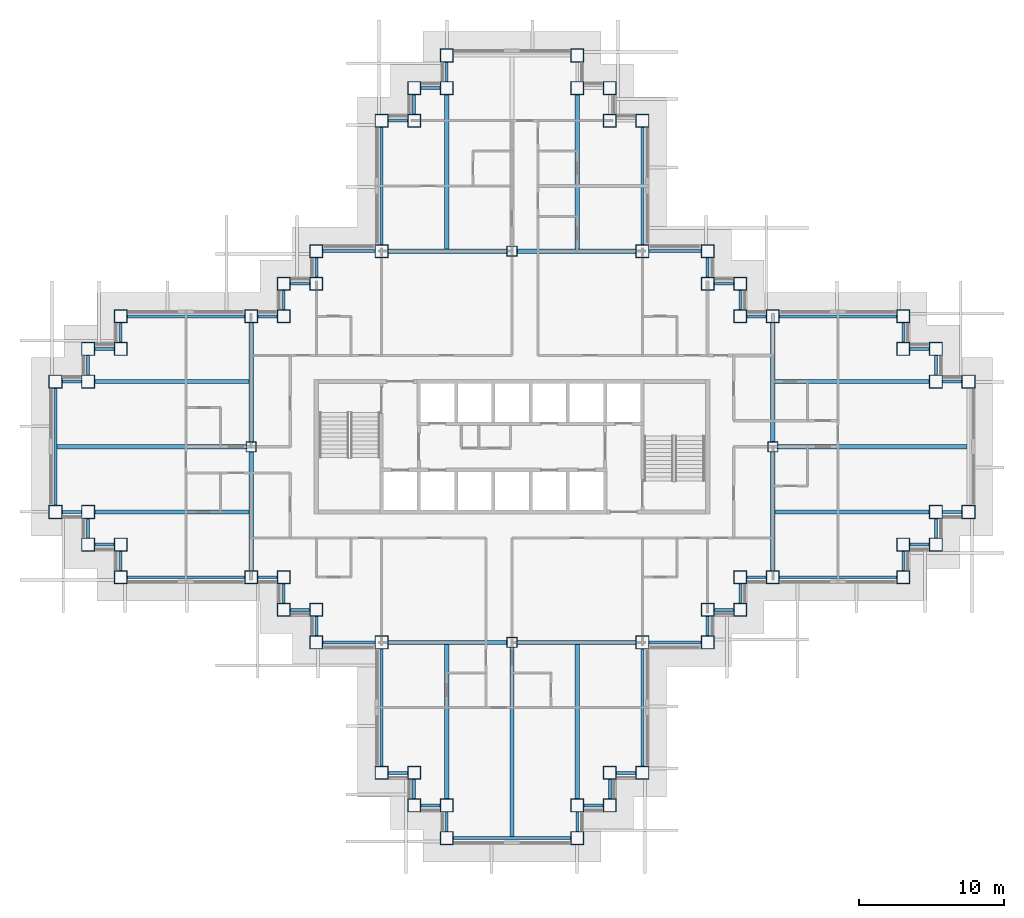
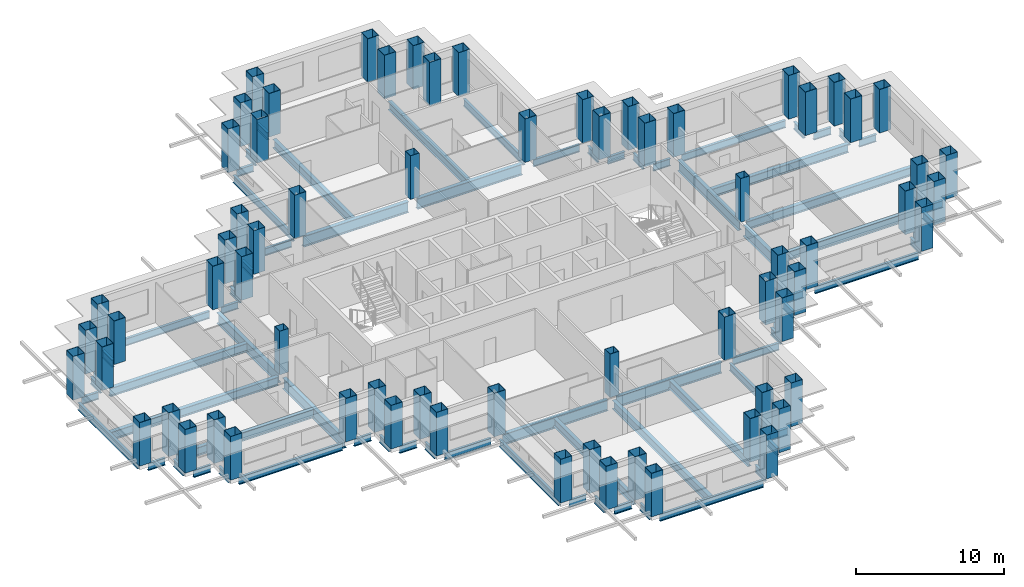
# One storey, part 1 of 15: 77 beams, 68 columns.
"""IFC4 building model written with IfcOpenShell, lengths in metres."""

from ifc_helpers import new_model, si_unit, direction, frame, origin, origin_2d, place, context, subcontext, project, spatial, hollow_rectangle, i_section, extrude, material, material_profile, profile_set, type_object, element, save


model = new_model("IFC4")

# Units and contexts
model_context = context("Model", 3, precision=1e-05, world=origin(), true_north=direction((0.0, 1.0)))
body_context = subcontext(model_context, "Body", "Model", "MODEL_VIEW")
ifc_project = project(units=[si_unit("LENGTHUNIT", "METRE"), si_unit("AREAUNIT", "SQUARE_METRE"), si_unit("VOLUMEUNIT", "CUBIC_METRE"), si_unit("PLANEANGLEUNIT", "RADIAN"), si_unit("MASSUNIT", "GRAM", prefix="KILO")], contexts=[model_context])

# Site, building, storey
site_placement = place(None, origin())
site = spatial("IfcSite", under=ifc_project, at=site_placement, CompositionType="ELEMENT")
building_placement = place(site_placement, origin())
building = spatial("IfcBuilding", under=site, at=building_placement, Name="Caravel Reach Hotel and Residences", CompositionType="ELEMENT")
storey_placement = place(building_placement, frame((0.0, 0.0, 111.60009765625)))
storey = spatial("IfcBuildingStorey", under=building, at=storey_placement, Name="L27", CompositionType="ELEMENT", Elevation=111.60009765625)

# Columns
ifc_material_1 = material(Name="Concrete-filled steel tube Q390B with Concrete C70 infill", Category="concrete")
ifc_material_profile_1 = material_profile(ifc_material_1, hollow_rectangle(XDim=0.699951171875, YDim=0.699951171875, WallThickness=0.02197265625, at=origin_2d()), Name="RHS 700x700x22")
ifc_profile_set_1 = profile_set([ifc_material_profile_1], Name="Concrete-filled steel tube Q390B with Concrete C70 infill")
column_type_1 = type_object("IfcColumnType", Name="CFT 700x700 Q390B C70", PredefinedType="COLUMN", material=ifc_profile_set_1)
for number, where, z_axis, x_axis, name in (
    (1, (31.5, 40.5, 0.0), (0.0, 0.0, 1.0), (1.0, 0.0, 0.0), "C6 column"),
    (2, (31.5, 13.5, 0.0), (0.0, 0.0, 1.0), (1.0, 0.0, 0.0), "C6 column"),
    (3, (13.5, 27.0, 0.0), (0.0, 0.0, 1.0), (1.0, 0.0, 0.0), "C6 column"),
    (4, (49.5, 27.0, 0.0), (0.0, 0.0, 1.0), (1.0, 0.0, 0.0), "C6 column"),
):
    element("IfcColumn", number, at=place(storey_placement, frame(where, z_axis=z_axis, x_axis=x_axis)), inside=storey, type_object=column_type_1, Name=name, PredefinedType="COLUMN", context=body_context, shape_type="SweptSolid", body=[
        extrude(hollow_rectangle(XDim=0.699951171875, YDim=0.699951171875, WallThickness=0.02197265625, at=origin_2d()), origin(), (0.0, 0.0, 1.0), 3.599853515625),
    ])
ifc_material_2 = material(Name="Concrete-filled steel tube Q390B with Concrete C70 infill", Category="concrete")
ifc_material_profile_2 = material_profile(ifc_material_2, hollow_rectangle(XDim=0.89990234375, YDim=0.89990234375, WallThickness=0.028076171875, at=origin_2d()), Name="RHS 900x900x28")
ifc_profile_set_2 = profile_set([ifc_material_profile_2], Name="Concrete-filled steel tube Q390B with Concrete C70 infill")
column_type_2 = type_object("IfcColumnType", Name="CFT 900x900 Q390B C70", PredefinedType="COLUMN", material=ifc_profile_set_2)
for number, where, z_axis, x_axis, name in (
    (5, (22.5, 4.5, 0.0), (0.0, 0.0, 1.0), (1.0, 0.0, 0.0), "C3 column"),
    (6, (24.75, 4.5, 0.0), (0.0, 0.0, 1.0), (1.0, 0.0, 0.0), "C3 column"),
    (7, (24.75, 2.25, 0.0), (0.0, 0.0, 1.0), (1.0, 0.0, 0.0), "C3 column"),
    (8, (27.0, 2.25, 0.0), (0.0, 0.0, 1.0), (1.0, 0.0, 0.0), "C3 column"),
    (9, (27.0, 0.0, 0.0), (0.0, 0.0, 1.0), (1.0, 0.0, 0.0), "C3 column"),
    (10, (36.0, 0.0, 0.0), (0.0, 0.0, 1.0), (1.0, 0.0, 0.0), "C3 column"),
    (11, (36.0, 2.25, 0.0), (0.0, 0.0, 1.0), (1.0, 0.0, 0.0), "C3 column"),
    (12, (38.25, 2.25, 0.0), (0.0, 0.0, 1.0), (1.0, 0.0, 0.0), "C3 column"),
    (13, (38.25, 4.5, 0.0), (0.0, 0.0, 1.0), (1.0, 0.0, 0.0), "C3 column"),
    (14, (40.5, 4.5, 0.0), (0.0, 0.0, 1.0), (1.0, 0.0, 0.0), "C3 column"),
    (15, (40.5, 13.5, 0.0), (0.0, 0.0, 1.0), (1.0, 0.0, 0.0), "C3 column"),
    (16, (45.0, 13.5, 0.0), (0.0, 0.0, 1.0), (1.0, 0.0, 0.0), "C3 column"),
    (17, (45.0, 15.75, 0.0), (0.0, 0.0, 1.0), (1.0, 0.0, 0.0), "C3 column"),
    (18, (47.25, 15.75, 0.0), (0.0, 0.0, 1.0), (1.0, 0.0, 0.0), "C3 column"),
    (19, (47.25, 18.0, 0.0), (0.0, 0.0, 1.0), (1.0, 0.0, 0.0), "C3 column"),
    (20, (49.5, 18.0, 0.0), (0.0, 0.0, 1.0), (1.0, 0.0, 0.0), "C3 column"),
    (21, (58.5, 18.0, 0.0), (0.0, 0.0, 1.0), (1.0, 0.0, 0.0), "C3 column"),
    (22, (58.5, 20.25, 0.0), (0.0, 0.0, 1.0), (1.0, 0.0, 0.0), "C3 column"),
    (23, (60.75, 20.25, 0.0), (0.0, 0.0, 1.0), (1.0, 0.0, 0.0), "C3 column"),
    (24, (60.75, 22.5, 0.0), (0.0, 0.0, 1.0), (1.0, 0.0, 0.0), "C3 column"),
    (25, (63.0, 22.5, 0.0), (0.0, 0.0, 1.0), (1.0, 0.0, 0.0), "C3 column"),
    (26, (63.0, 31.5, 0.0), (0.0, 0.0, 1.0), (1.0, 0.0, 0.0), "C3 column"),
    (27, (60.75, 31.5, 0.0), (0.0, 0.0, 1.0), (1.0, 0.0, 0.0), "C3 column"),
    (28, (60.75, 33.75, 0.0), (0.0, 0.0, 1.0), (1.0, 0.0, 0.0), "C3 column"),
    (29, (58.5, 33.75, 0.0), (0.0, 0.0, 1.0), (1.0, 0.0, 0.0), "C3 column"),
    (30, (58.5, 36.0, 0.0), (0.0, 0.0, 1.0), (1.0, 0.0, 0.0), "C3 column"),
    (31, (49.5, 36.0, 0.0), (0.0, 0.0, 1.0), (1.0, 0.0, 0.0), "C3 column"),
    (32, (47.25, 36.0, 0.0), (0.0, 0.0, 1.0), (1.0, 0.0, 0.0), "C3 column"),
    (33, (47.25, 38.25, 0.0), (0.0, 0.0, 1.0), (1.0, 0.0, 0.0), "C3 column"),
    (34, (45.0, 38.25, 0.0), (0.0, 0.0, 1.0), (1.0, 0.0, 0.0), "C3 column"),
    (35, (45.0, 40.5, 0.0), (0.0, 0.0, 1.0), (1.0, 0.0, 0.0), "C3 column"),
    (36, (40.5, 40.5, 0.0), (0.0, 0.0, 1.0), (1.0, 0.0, 0.0), "C3 column"),
    (37, (40.5, 49.5, 0.0), (0.0, 0.0, 1.0), (1.0, 0.0, 0.0), "C3 column"),
    (38, (38.25, 49.5, 0.0), (0.0, 0.0, 1.0), (1.0, 0.0, 0.0), "C3 column"),
    (39, (38.25, 51.75, 0.0), (0.0, 0.0, 1.0), (1.0, 0.0, 0.0), "C3 column"),
    (40, (36.0, 51.75, 0.0), (0.0, 0.0, 1.0), (1.0, 0.0, 0.0), "C3 column"),
    (41, (36.0, 54.0, 0.0), (0.0, 0.0, 1.0), (1.0, 0.0, 0.0), "C3 column"),
    (42, (27.0, 54.0, 0.0), (0.0, 0.0, 1.0), (1.0, 0.0, 0.0), "C3 column"),
    (43, (27.0, 51.75, 0.0), (0.0, 0.0, 1.0), (1.0, 0.0, 0.0), "C3 column"),
    (44, (24.75, 51.75, 0.0), (0.0, 0.0, 1.0), (1.0, 0.0, 0.0), "C3 column"),
    (45, (24.75, 49.5, 0.0), (0.0, 0.0, 1.0), (1.0, 0.0, 0.0), "C3 column"),
    (46, (22.5, 49.5, 0.0), (0.0, 0.0, 1.0), (1.0, 0.0, 0.0), "C3 column"),
    (47, (22.5, 40.5, 0.0), (0.0, 0.0, 1.0), (1.0, 0.0, 0.0), "C3 column"),
    (48, (18.0, 40.5, 0.0), (0.0, 0.0, 1.0), (1.0, 0.0, 0.0), "C3 column"),
    (49, (18.0, 38.25, 0.0), (0.0, 0.0, 1.0), (1.0, 0.0, 0.0), "C3 column"),
    (50, (15.75, 38.25, 0.0), (0.0, 0.0, 1.0), (1.0, 0.0, 0.0), "C3 column"),
    (51, (15.75, 36.0, 0.0), (0.0, 0.0, 1.0), (1.0, 0.0, 0.0), "C3 column"),
    (52, (13.5, 36.0, 0.0), (0.0, 0.0, 1.0), (1.0, 0.0, 0.0), "C3 column"),
    (53, (4.5, 36.0, 0.0), (0.0, 0.0, 1.0), (1.0, 0.0, 0.0), "C3 column"),
    (54, (4.5, 33.75, 0.0), (0.0, 0.0, 1.0), (1.0, 0.0, 0.0), "C3 column"),
    (55, (2.25, 33.75, 0.0), (0.0, 0.0, 1.0), (1.0, 0.0, 0.0), "C3 column"),
    (56, (2.25, 31.5, 0.0), (0.0, 0.0, 1.0), (1.0, 0.0, 0.0), "C3 column"),
    (57, (0.0, 31.5, 0.0), (0.0, 0.0, 1.0), (1.0, 0.0, 0.0), "C3 column"),
    (58, (0.0, 22.5, 0.0), (0.0, 0.0, 1.0), (1.0, 0.0, 0.0), "C3 column"),
    (59, (2.25, 22.5, 0.0), (0.0, 0.0, 1.0), (1.0, 0.0, 0.0), "C3 column"),
    (60, (2.25, 20.25, 0.0), (0.0, 0.0, 1.0), (1.0, 0.0, 0.0), "C3 column"),
    (61, (4.5, 20.25, 0.0), (0.0, 0.0, 1.0), (1.0, 0.0, 0.0), "C3 column"),
    (62, (4.5, 18.0, 0.0), (0.0, 0.0, 1.0), (1.0, 0.0, 0.0), "C3 column"),
    (63, (13.5, 18.0, 0.0), (0.0, 0.0, 1.0), (1.0, 0.0, 0.0), "C3 column"),
    (64, (15.75, 18.0, 0.0), (0.0, 0.0, 1.0), (1.0, 0.0, 0.0), "C3 column"),
    (65, (15.75, 15.75, 0.0), (0.0, 0.0, 1.0), (1.0, 0.0, 0.0), "C3 column"),
    (66, (18.0, 15.75, 0.0), (0.0, 0.0, 1.0), (1.0, 0.0, 0.0), "C3 column"),
    (67, (18.0, 13.5, 0.0), (0.0, 0.0, 1.0), (1.0, 0.0, 0.0), "C3 column"),
    (68, (22.5, 13.5, 0.0), (0.0, 0.0, 1.0), (1.0, 0.0, 0.0), "C3 column"),
):
    element("IfcColumn", number, at=place(storey_placement, frame(where, z_axis=z_axis, x_axis=x_axis)), inside=storey, type_object=column_type_2, Name=name, PredefinedType="COLUMN", context=body_context, shape_type="SweptSolid", body=[
        extrude(hollow_rectangle(XDim=0.89990234375, YDim=0.89990234375, WallThickness=0.028076171875, at=origin_2d()), origin(), (0.0, 0.0, 1.0), 3.599853515625),
    ])

# Beams
ifc_material_3 = material(Name="Structural steel Q355B", Category="steel")
ifc_material_profile_3 = material_profile(ifc_material_3, i_section(OverallWidth=0.300048828125, OverallDepth=0.699951171875, WebThickness=0.012939453125, FlangeThickness=0.02392578125, FilletRadius=0.01806640625, at=origin_2d()), Name="HN 700x300x13x24")
ifc_profile_set_3 = profile_set([ifc_material_profile_3], Name="Structural steel Q355B")
beam_type_1 = type_object("IfcBeamType", Name="Beam HN 700x300x13x24", PredefinedType="BEAM", material=ifc_profile_set_3)
for number, where, z_axis, x_axis, name in (
    (69, (27.0, 40.60009765625, -0.650146484375), (0.0, 1.0, 0.0), (-1.0, 0.0, 0.0), "B2 HN 700x300x13x24"),
    (70, (36.0, 40.60009765625, -0.650146484375), (0.0, 1.0, 0.0), (-1.0, 0.0, 0.0), "B2 HN 700x300x13x24"),
    (71, (27.0, 13.39990234375, -0.650146484375), (0.0, -1.0, 0.0), (1.0, 0.0, 0.0), "B2 HN 700x300x13x24"),
):
    element("IfcBeam", number, at=place(storey_placement, frame(where, z_axis=z_axis, x_axis=x_axis)), inside=storey, type_object=beam_type_1, Name=name, PredefinedType="BEAM", context=body_context, shape_type="SweptSolid", body=[
        extrude(i_section(OverallWidth=0.300048828125, OverallDepth=0.699951171875, WebThickness=0.012939453125, FlangeThickness=0.02392578125, FilletRadius=0.01806640625, at=origin_2d()), origin(), (0.0, 0.0, 1.0), 10.75),
    ])
beam_1_placement = place(storey_placement, frame((31.5, 13.199951171875, -0.650146484375), z_axis=(0.0, -1.0, 0.0), x_axis=(1.0, 0.0, 0.0)))
element("IfcBeam", 72, at=beam_1_placement, inside=storey, type_object=beam_type_1, Name="B2 HN 700x300x13x24", PredefinedType="BEAM", context=body_context, shape_type="SweptSolid", body=[
    extrude(i_section(OverallWidth=0.300048828125, OverallDepth=0.699951171875, WebThickness=0.012939453125, FlangeThickness=0.02392578125, FilletRadius=0.01806640625, at=origin_2d()), origin(), (0.0, 0.0, 1.0), 13.099853515625),
])
for number, where, z_axis, x_axis, name in (
    (73, (36.0, 13.39990234375, -0.650146484375), (0.0, -1.0, 0.0), (1.0, 0.0, 0.0), "B2 HN 700x300x13x24"),
    (74, (49.60009765625, 22.5, -0.650146484375), (1.0, 0.0, 0.0), (0.0, 1.0, 0.0), "B2 HN 700x300x13x24"),
):
    element("IfcBeam", number, at=place(storey_placement, frame(where, z_axis=z_axis, x_axis=x_axis)), inside=storey, type_object=beam_type_1, Name=name, PredefinedType="BEAM", context=body_context, shape_type="SweptSolid", body=[
        extrude(i_section(OverallWidth=0.300048828125, OverallDepth=0.699951171875, WebThickness=0.012939453125, FlangeThickness=0.02392578125, FilletRadius=0.01806640625, at=origin_2d()), origin(), (0.0, 0.0, 1.0), 10.75),
    ])
beam_2_placement = place(storey_placement, frame((49.800048828125, 27.0, -0.650146484375), z_axis=(1.0, 0.0, 0.0), x_axis=(0.0, 1.0, 0.0)))
element("IfcBeam", 75, at=beam_2_placement, inside=storey, type_object=beam_type_1, Name="B2 HN 700x300x13x24", PredefinedType="BEAM", context=body_context, shape_type="SweptSolid", body=[
    extrude(i_section(OverallWidth=0.300048828125, OverallDepth=0.699951171875, WebThickness=0.012939453125, FlangeThickness=0.02392578125, FilletRadius=0.01806640625, at=origin_2d()), origin(), (0.0, 0.0, 1.0), 13.099853515625),
])
for number, where, z_axis, x_axis, name in (
    (76, (49.60009765625, 31.5, -0.650146484375), (1.0, 0.0, 0.0), (0.0, 1.0, 0.0), "B2 HN 700x300x13x24"),
    (77, (13.39990234375, 22.5, -0.650146484375), (-1.0, 0.0, 0.0), (0.0, -1.0, 0.0), "B2 HN 700x300x13x24"),
):
    element("IfcBeam", number, at=place(storey_placement, frame(where, z_axis=z_axis, x_axis=x_axis)), inside=storey, type_object=beam_type_1, Name=name, PredefinedType="BEAM", context=body_context, shape_type="SweptSolid", body=[
        extrude(i_section(OverallWidth=0.300048828125, OverallDepth=0.699951171875, WebThickness=0.012939453125, FlangeThickness=0.02392578125, FilletRadius=0.01806640625, at=origin_2d()), origin(), (0.0, 0.0, 1.0), 10.75),
    ])
beam_3_placement = place(storey_placement, frame((13.199951171875, 27.0, -0.650146484375), z_axis=(-1.0, 0.0, 0.0), x_axis=(0.0, -1.0, 0.0)))
element("IfcBeam", 78, at=beam_3_placement, inside=storey, type_object=beam_type_1, Name="B2 HN 700x300x13x24", PredefinedType="BEAM", context=body_context, shape_type="SweptSolid", body=[
    extrude(i_section(OverallWidth=0.300048828125, OverallDepth=0.699951171875, WebThickness=0.012939453125, FlangeThickness=0.02392578125, FilletRadius=0.01806640625, at=origin_2d()), origin(), (0.0, 0.0, 1.0), 13.099853515625),
])
beam_4_placement = place(storey_placement, frame((13.39990234375, 31.5, -0.650146484375), z_axis=(-1.0, 0.0, 0.0), x_axis=(0.0, -1.0, 0.0)))
element("IfcBeam", 79, at=beam_4_placement, inside=storey, type_object=beam_type_1, Name="B2 HN 700x300x13x24", PredefinedType="BEAM", context=body_context, shape_type="SweptSolid", body=[
    extrude(i_section(OverallWidth=0.300048828125, OverallDepth=0.699951171875, WebThickness=0.012939453125, FlangeThickness=0.02392578125, FilletRadius=0.01806640625, at=origin_2d()), origin(), (0.0, 0.0, 1.0), 10.75),
])
ifc_material_4 = material(Name="Structural steel Q355B", Category="steel")
ifc_material_profile_4 = material_profile(ifc_material_4, i_section(OverallWidth=0.300048828125, OverallDepth=0.89990234375, WebThickness=0.01611328125, FlangeThickness=0.028076171875, FilletRadius=0.01806640625, at=origin_2d()), Name="HN 900x300x16x28")
ifc_profile_set_4 = profile_set([ifc_material_profile_4], Name="Structural steel Q355B")
beam_type_2 = type_object("IfcBeamType", Name="Beam HN 900x300x16x28", PredefinedType="BEAM", material=ifc_profile_set_4)
for number, where, z_axis, x_axis, name in (
    (80, (22.949951171875, 40.5, -0.75), (1.0, 0.0, 0.0), (0.0, 1.0, 0.0), "B3 HN 900x300x16x28"),
    (81, (31.85009765625, 40.5, -0.75), (1.0, 0.0, 0.0), (0.0, 1.0, 0.0), "B3 HN 900x300x16x28"),
    (82, (22.949951171875, 13.5, -0.75), (1.0, 0.0, 0.0), (0.0, 1.0, 0.0), "B3 HN 900x300x16x28"),
    (83, (31.85009765625, 13.5, -0.75), (1.0, 0.0, 0.0), (0.0, 1.0, 0.0), "B3 HN 900x300x16x28"),
    (84, (13.5, 18.449951171875, -0.75), (0.0, 1.0, 0.0), (-1.0, 0.0, 0.0), "B3 HN 900x300x16x28"),
    (85, (13.5, 27.35009765625, -0.75), (0.0, 1.0, 0.0), (-1.0, 0.0, 0.0), "B3 HN 900x300x16x28"),
    (86, (49.5, 18.449951171875, -0.75), (0.0, 1.0, 0.0), (-1.0, 0.0, 0.0), "B3 HN 900x300x16x28"),
    (87, (49.5, 27.35009765625, -0.75), (0.0, 1.0, 0.0), (-1.0, 0.0, 0.0), "B3 HN 900x300x16x28"),
):
    element("IfcBeam", number, at=place(storey_placement, frame(where, z_axis=z_axis, x_axis=x_axis)), inside=storey, type_object=beam_type_2, Name=name, PredefinedType="BEAM", context=body_context, shape_type="SweptSolid", body=[
        extrude(i_section(OverallWidth=0.300048828125, OverallDepth=0.89990234375, WebThickness=0.01611328125, FlangeThickness=0.028076171875, FilletRadius=0.01806640625, at=origin_2d()), origin(), (0.0, 0.0, 1.0), 8.199951171875),
    ])
ifc_material_5 = material(Name="Structural steel Q355B", Category="steel")
ifc_material_profile_5 = material_profile(ifc_material_5, i_section(OverallWidth=0.199951171875, OverallDepth=0.60009765625, WebThickness=0.010986328125, FlangeThickness=0.01708984375, FilletRadius=0.012939453125, at=origin_2d()), Name="HN 600x200x11x17")
ifc_profile_set_5 = profile_set([ifc_material_profile_5], Name="Structural steel Q355B")
beam_type_3 = type_object("IfcBeamType", Name="Spandrel beam HN 600x200x11x17", PredefinedType="SPANDREL", material=ifc_profile_set_5)
for number, where, z_axis, x_axis, name in (
    (88, (22.949951171875, 4.5, -0.60009765625), (1.0, 0.0, 0.0), (0.0, 1.0, 0.0), "SP1 HN 600x200x11x17"),
    (89, (24.75, 4.050048828125, -0.60009765625), (0.0, -1.0, 0.0), (1.0, 0.0, 0.0), "SP1 HN 600x200x11x17"),
    (90, (25.199951171875, 2.25, -0.60009765625), (1.0, 0.0, 0.0), (0.0, 1.0, 0.0), "SP1 HN 600x200x11x17"),
    (91, (27.0, 1.800048828125, -0.60009765625), (0.0, -1.0, 0.0), (1.0, 0.0, 0.0), "SP1 HN 600x200x11x17"),
):
    element("IfcBeam", number, at=place(storey_placement, frame(where, z_axis=z_axis, x_axis=x_axis)), inside=storey, type_object=beam_type_3, Name=name, PredefinedType="SPANDREL", context=body_context, shape_type="SweptSolid", body=[
        extrude(i_section(OverallWidth=0.199951171875, OverallDepth=0.60009765625, WebThickness=0.010986328125, FlangeThickness=0.01708984375, FilletRadius=0.012939453125, at=origin_2d()), origin(), (0.0, 0.0, 1.0), 1.35009765625),
    ])
beam_5_placement = place(storey_placement, frame((27.449951171875, 0.0, -0.60009765625), z_axis=(1.0, 0.0, 0.0), x_axis=(0.0, 1.0, 0.0)))
element("IfcBeam", 92, at=beam_5_placement, inside=storey, type_object=beam_type_3, Name="SP1 HN 600x200x11x17", PredefinedType="SPANDREL", context=body_context, shape_type="SweptSolid", body=[
    extrude(i_section(OverallWidth=0.199951171875, OverallDepth=0.60009765625, WebThickness=0.010986328125, FlangeThickness=0.01708984375, FilletRadius=0.012939453125, at=origin_2d()), origin(), (0.0, 0.0, 1.0), 8.10009765625),
])
for number, where, z_axis, x_axis, name in (
    (93, (36.0, 0.449951171875, -0.60009765625), (0.0, 1.0, 0.0), (-1.0, 0.0, 0.0), "SP1 HN 600x200x11x17"),
    (94, (36.449951171875, 2.25, -0.60009765625), (1.0, 0.0, 0.0), (0.0, 1.0, 0.0), "SP1 HN 600x200x11x17"),
    (95, (38.25, 2.699951171875, -0.60009765625), (0.0, 1.0, 0.0), (-1.0, 0.0, 0.0), "SP1 HN 600x200x11x17"),
    (96, (38.699951171875, 4.5, -0.60009765625), (1.0, 0.0, 0.0), (0.0, 1.0, 0.0), "SP1 HN 600x200x11x17"),
):
    element("IfcBeam", number, at=place(storey_placement, frame(where, z_axis=z_axis, x_axis=x_axis)), inside=storey, type_object=beam_type_3, Name=name, PredefinedType="SPANDREL", context=body_context, shape_type="SweptSolid", body=[
        extrude(i_section(OverallWidth=0.199951171875, OverallDepth=0.60009765625, WebThickness=0.010986328125, FlangeThickness=0.01708984375, FilletRadius=0.012939453125, at=origin_2d()), origin(), (0.0, 0.0, 1.0), 1.35009765625),
    ])
beam_6_placement = place(storey_placement, frame((40.5, 4.949951171875, -0.60009765625), z_axis=(0.0, 1.0, 0.0), x_axis=(-1.0, 0.0, 0.0)))
element("IfcBeam", 97, at=beam_6_placement, inside=storey, type_object=beam_type_3, Name="SP1 HN 600x200x11x17", PredefinedType="SPANDREL", context=body_context, shape_type="SweptSolid", body=[
    extrude(i_section(OverallWidth=0.199951171875, OverallDepth=0.60009765625, WebThickness=0.010986328125, FlangeThickness=0.01708984375, FilletRadius=0.012939453125, at=origin_2d()), origin(), (0.0, 0.0, 1.0), 8.10009765625),
])
beam_7_placement = place(storey_placement, frame((40.949951171875, 13.5, -0.60009765625), z_axis=(1.0, 0.0, 0.0), x_axis=(0.0, 1.0, 0.0)))
element("IfcBeam", 98, at=beam_7_placement, inside=storey, type_object=beam_type_3, Name="SP1 HN 600x200x11x17", PredefinedType="SPANDREL", context=body_context, shape_type="SweptSolid", body=[
    extrude(i_section(OverallWidth=0.199951171875, OverallDepth=0.60009765625, WebThickness=0.010986328125, FlangeThickness=0.01708984375, FilletRadius=0.012939453125, at=origin_2d()), origin(), (0.0, 0.0, 1.0), 3.60009765625),
])
for number, where, z_axis, x_axis, name in (
    (99, (45.0, 13.949951171875, -0.60009765625), (0.0, 1.0, 0.0), (-1.0, 0.0, 0.0), "SP1 HN 600x200x11x17"),
    (100, (45.449951171875, 15.75, -0.60009765625), (1.0, 0.0, 0.0), (0.0, 1.0, 0.0), "SP1 HN 600x200x11x17"),
    (101, (47.25, 16.199951171875, -0.60009765625), (0.0, 1.0, 0.0), (-1.0, 0.0, 0.0), "SP1 HN 600x200x11x17"),
    (102, (47.699951171875, 18.0, -0.60009765625), (1.0, 0.0, 0.0), (0.0, 1.0, 0.0), "SP1 HN 600x200x11x17"),
):
    element("IfcBeam", number, at=place(storey_placement, frame(where, z_axis=z_axis, x_axis=x_axis)), inside=storey, type_object=beam_type_3, Name=name, PredefinedType="SPANDREL", context=body_context, shape_type="SweptSolid", body=[
        extrude(i_section(OverallWidth=0.199951171875, OverallDepth=0.60009765625, WebThickness=0.010986328125, FlangeThickness=0.01708984375, FilletRadius=0.012939453125, at=origin_2d()), origin(), (0.0, 0.0, 1.0), 1.35009765625),
    ])
beam_8_placement = place(storey_placement, frame((49.949951171875, 18.0, -0.60009765625), z_axis=(1.0, 0.0, 0.0), x_axis=(0.0, 1.0, 0.0)))
element("IfcBeam", 103, at=beam_8_placement, inside=storey, type_object=beam_type_3, Name="SP1 HN 600x200x11x17", PredefinedType="SPANDREL", context=body_context, shape_type="SweptSolid", body=[
    extrude(i_section(OverallWidth=0.199951171875, OverallDepth=0.60009765625, WebThickness=0.010986328125, FlangeThickness=0.01708984375, FilletRadius=0.012939453125, at=origin_2d()), origin(), (0.0, 0.0, 1.0), 8.10009765625),
])
for number, where, z_axis, x_axis, name in (
    (104, (58.5, 18.449951171875, -0.60009765625), (0.0, 1.0, 0.0), (-1.0, 0.0, 0.0), "SP1 HN 600x200x11x17"),
    (105, (58.949951171875, 20.25, -0.60009765625), (1.0, 0.0, 0.0), (0.0, 1.0, 0.0), "SP1 HN 600x200x11x17"),
    (106, (60.75, 20.699951171875, -0.60009765625), (0.0, 1.0, 0.0), (-1.0, 0.0, 0.0), "SP1 HN 600x200x11x17"),
    (107, (61.199951171875, 22.5, -0.60009765625), (1.0, 0.0, 0.0), (0.0, 1.0, 0.0), "SP1 HN 600x200x11x17"),
    (108, (62.550048828125, 31.5, -0.60009765625), (-1.0, 0.0, 0.0), (0.0, -1.0, 0.0), "SP1 HN 600x200x11x17"),
    (109, (60.75, 31.949951171875, -0.60009765625), (0.0, 1.0, 0.0), (-1.0, 0.0, 0.0), "SP1 HN 600x200x11x17"),
    (110, (60.300048828125, 33.75, -0.60009765625), (-1.0, 0.0, 0.0), (0.0, -1.0, 0.0), "SP1 HN 600x200x11x17"),
    (111, (58.5, 34.199951171875, -0.60009765625), (0.0, 1.0, 0.0), (-1.0, 0.0, 0.0), "SP1 HN 600x200x11x17"),
):
    element("IfcBeam", number, at=place(storey_placement, frame(where, z_axis=z_axis, x_axis=x_axis)), inside=storey, type_object=beam_type_3, Name=name, PredefinedType="SPANDREL", context=body_context, shape_type="SweptSolid", body=[
        extrude(i_section(OverallWidth=0.199951171875, OverallDepth=0.60009765625, WebThickness=0.010986328125, FlangeThickness=0.01708984375, FilletRadius=0.012939453125, at=origin_2d()), origin(), (0.0, 0.0, 1.0), 1.35009765625),
    ])
beam_9_placement = place(storey_placement, frame((58.050048828125, 36.0, -0.60009765625), z_axis=(-1.0, 0.0, 0.0), x_axis=(0.0, -1.0, 0.0)))
element("IfcBeam", 112, at=beam_9_placement, inside=storey, type_object=beam_type_3, Name="SP1 HN 600x200x11x17", PredefinedType="SPANDREL", context=body_context, shape_type="SweptSolid", body=[
    extrude(i_section(OverallWidth=0.199951171875, OverallDepth=0.60009765625, WebThickness=0.010986328125, FlangeThickness=0.01708984375, FilletRadius=0.012939453125, at=origin_2d()), origin(), (0.0, 0.0, 1.0), 8.10009765625),
])
for number, where, z_axis, x_axis, name in (
    (113, (49.050048828125, 36.0, -0.60009765625), (-1.0, 0.0, 0.0), (0.0, -1.0, 0.0), "SP1 HN 600x200x11x17"),
    (114, (47.25, 36.449951171875, -0.60009765625), (0.0, 1.0, 0.0), (-1.0, 0.0, 0.0), "SP1 HN 600x200x11x17"),
    (115, (46.800048828125, 38.25, -0.60009765625), (-1.0, 0.0, 0.0), (0.0, -1.0, 0.0), "SP1 HN 600x200x11x17"),
    (116, (45.0, 38.699951171875, -0.60009765625), (0.0, 1.0, 0.0), (-1.0, 0.0, 0.0), "SP1 HN 600x200x11x17"),
):
    element("IfcBeam", number, at=place(storey_placement, frame(where, z_axis=z_axis, x_axis=x_axis)), inside=storey, type_object=beam_type_3, Name=name, PredefinedType="SPANDREL", context=body_context, shape_type="SweptSolid", body=[
        extrude(i_section(OverallWidth=0.199951171875, OverallDepth=0.60009765625, WebThickness=0.010986328125, FlangeThickness=0.01708984375, FilletRadius=0.012939453125, at=origin_2d()), origin(), (0.0, 0.0, 1.0), 1.35009765625),
    ])
beam_10_placement = place(storey_placement, frame((44.550048828125, 40.5, -0.60009765625), z_axis=(-1.0, 0.0, 0.0), x_axis=(0.0, -1.0, 0.0)))
element("IfcBeam", 117, at=beam_10_placement, inside=storey, type_object=beam_type_3, Name="SP1 HN 600x200x11x17", PredefinedType="SPANDREL", context=body_context, shape_type="SweptSolid", body=[
    extrude(i_section(OverallWidth=0.199951171875, OverallDepth=0.60009765625, WebThickness=0.010986328125, FlangeThickness=0.01708984375, FilletRadius=0.012939453125, at=origin_2d()), origin(), (0.0, 0.0, 1.0), 3.60009765625),
])
beam_11_placement = place(storey_placement, frame((40.5, 40.949951171875, -0.60009765625), z_axis=(0.0, 1.0, 0.0), x_axis=(-1.0, 0.0, 0.0)))
element("IfcBeam", 118, at=beam_11_placement, inside=storey, type_object=beam_type_3, Name="SP1 HN 600x200x11x17", PredefinedType="SPANDREL", context=body_context, shape_type="SweptSolid", body=[
    extrude(i_section(OverallWidth=0.199951171875, OverallDepth=0.60009765625, WebThickness=0.010986328125, FlangeThickness=0.01708984375, FilletRadius=0.012939453125, at=origin_2d()), origin(), (0.0, 0.0, 1.0), 8.10009765625),
])
for number, where, z_axis, x_axis, name in (
    (119, (27.0, 53.550048828125, -0.60009765625), (0.0, -1.0, 0.0), (1.0, 0.0, 0.0), "SP1 HN 600x200x11x17"),
    (120, (26.550048828125, 51.75, -0.60009765625), (-1.0, 0.0, 0.0), (0.0, -1.0, 0.0), "SP1 HN 600x200x11x17"),
    (121, (24.75, 51.300048828125, -0.60009765625), (0.0, -1.0, 0.0), (1.0, 0.0, 0.0), "SP1 HN 600x200x11x17"),
    (122, (24.300048828125, 49.5, -0.60009765625), (-1.0, 0.0, 0.0), (0.0, -1.0, 0.0), "SP1 HN 600x200x11x17"),
):
    element("IfcBeam", number, at=place(storey_placement, frame(where, z_axis=z_axis, x_axis=x_axis)), inside=storey, type_object=beam_type_3, Name=name, PredefinedType="SPANDREL", context=body_context, shape_type="SweptSolid", body=[
        extrude(i_section(OverallWidth=0.199951171875, OverallDepth=0.60009765625, WebThickness=0.010986328125, FlangeThickness=0.01708984375, FilletRadius=0.012939453125, at=origin_2d()), origin(), (0.0, 0.0, 1.0), 1.35009765625),
    ])
beam_12_placement = place(storey_placement, frame((22.5, 49.050048828125, -0.60009765625), z_axis=(0.0, -1.0, 0.0), x_axis=(1.0, 0.0, 0.0)))
element("IfcBeam", 123, at=beam_12_placement, inside=storey, type_object=beam_type_3, Name="SP1 HN 600x200x11x17", PredefinedType="SPANDREL", context=body_context, shape_type="SweptSolid", body=[
    extrude(i_section(OverallWidth=0.199951171875, OverallDepth=0.60009765625, WebThickness=0.010986328125, FlangeThickness=0.01708984375, FilletRadius=0.012939453125, at=origin_2d()), origin(), (0.0, 0.0, 1.0), 8.10009765625),
])
beam_13_placement = place(storey_placement, frame((22.050048828125, 40.5, -0.60009765625), z_axis=(-1.0, 0.0, 0.0), x_axis=(0.0, -1.0, 0.0)))
element("IfcBeam", 124, at=beam_13_placement, inside=storey, type_object=beam_type_3, Name="SP1 HN 600x200x11x17", PredefinedType="SPANDREL", context=body_context, shape_type="SweptSolid", body=[
    extrude(i_section(OverallWidth=0.199951171875, OverallDepth=0.60009765625, WebThickness=0.010986328125, FlangeThickness=0.01708984375, FilletRadius=0.012939453125, at=origin_2d()), origin(), (0.0, 0.0, 1.0), 3.60009765625),
])
for number, where, z_axis, x_axis, name in (
    (125, (18.0, 40.050048828125, -0.60009765625), (0.0, -1.0, 0.0), (1.0, 0.0, 0.0), "SP1 HN 600x200x11x17"),
    (126, (17.550048828125, 38.25, -0.60009765625), (-1.0, 0.0, 0.0), (0.0, -1.0, 0.0), "SP1 HN 600x200x11x17"),
    (127, (15.75, 37.800048828125, -0.60009765625), (0.0, -1.0, 0.0), (1.0, 0.0, 0.0), "SP1 HN 600x200x11x17"),
    (128, (15.300048828125, 36.0, -0.60009765625), (-1.0, 0.0, 0.0), (0.0, -1.0, 0.0), "SP1 HN 600x200x11x17"),
):
    element("IfcBeam", number, at=place(storey_placement, frame(where, z_axis=z_axis, x_axis=x_axis)), inside=storey, type_object=beam_type_3, Name=name, PredefinedType="SPANDREL", context=body_context, shape_type="SweptSolid", body=[
        extrude(i_section(OverallWidth=0.199951171875, OverallDepth=0.60009765625, WebThickness=0.010986328125, FlangeThickness=0.01708984375, FilletRadius=0.012939453125, at=origin_2d()), origin(), (0.0, 0.0, 1.0), 1.35009765625),
    ])
beam_14_placement = place(storey_placement, frame((13.050048828125, 36.0, -0.60009765625), z_axis=(-1.0, 0.0, 0.0), x_axis=(0.0, -1.0, 0.0)))
element("IfcBeam", 129, at=beam_14_placement, inside=storey, type_object=beam_type_3, Name="SP1 HN 600x200x11x17", PredefinedType="SPANDREL", context=body_context, shape_type="SweptSolid", body=[
    extrude(i_section(OverallWidth=0.199951171875, OverallDepth=0.60009765625, WebThickness=0.010986328125, FlangeThickness=0.01708984375, FilletRadius=0.012939453125, at=origin_2d()), origin(), (0.0, 0.0, 1.0), 8.10009765625),
])
for number, where, z_axis, x_axis, name in (
    (130, (4.5, 35.550048828125, -0.60009765625), (0.0, -1.0, 0.0), (1.0, 0.0, 0.0), "SP1 HN 600x200x11x17"),
    (131, (4.050048828125, 33.75, -0.60009765625), (-1.0, 0.0, 0.0), (0.0, -1.0, 0.0), "SP1 HN 600x200x11x17"),
    (132, (2.25, 33.300048828125, -0.60009765625), (0.0, -1.0, 0.0), (1.0, 0.0, 0.0), "SP1 HN 600x200x11x17"),
    (133, (1.800048828125, 31.5, -0.60009765625), (-1.0, 0.0, 0.0), (0.0, -1.0, 0.0), "SP1 HN 600x200x11x17"),
):
    element("IfcBeam", number, at=place(storey_placement, frame(where, z_axis=z_axis, x_axis=x_axis)), inside=storey, type_object=beam_type_3, Name=name, PredefinedType="SPANDREL", context=body_context, shape_type="SweptSolid", body=[
        extrude(i_section(OverallWidth=0.199951171875, OverallDepth=0.60009765625, WebThickness=0.010986328125, FlangeThickness=0.01708984375, FilletRadius=0.012939453125, at=origin_2d()), origin(), (0.0, 0.0, 1.0), 1.35009765625),
    ])
beam_15_placement = place(storey_placement, frame((0.0, 31.050048828125, -0.60009765625), z_axis=(0.0, -1.0, 0.0), x_axis=(1.0, 0.0, 0.0)))
element("IfcBeam", 134, at=beam_15_placement, inside=storey, type_object=beam_type_3, Name="SP1 HN 600x200x11x17", PredefinedType="SPANDREL", context=body_context, shape_type="SweptSolid", body=[
    extrude(i_section(OverallWidth=0.199951171875, OverallDepth=0.60009765625, WebThickness=0.010986328125, FlangeThickness=0.01708984375, FilletRadius=0.012939453125, at=origin_2d()), origin(), (0.0, 0.0, 1.0), 8.10009765625),
])
for number, where, z_axis, x_axis, name in (
    (135, (0.449951171875, 22.5, -0.60009765625), (1.0, 0.0, 0.0), (0.0, 1.0, 0.0), "SP1 HN 600x200x11x17"),
    (136, (2.25, 22.050048828125, -0.60009765625), (0.0, -1.0, 0.0), (1.0, 0.0, 0.0), "SP1 HN 600x200x11x17"),
    (137, (2.699951171875, 20.25, -0.60009765625), (1.0, 0.0, 0.0), (0.0, 1.0, 0.0), "SP1 HN 600x200x11x17"),
    (138, (4.5, 19.800048828125, -0.60009765625), (0.0, -1.0, 0.0), (1.0, 0.0, 0.0), "SP1 HN 600x200x11x17"),
):
    element("IfcBeam", number, at=place(storey_placement, frame(where, z_axis=z_axis, x_axis=x_axis)), inside=storey, type_object=beam_type_3, Name=name, PredefinedType="SPANDREL", context=body_context, shape_type="SweptSolid", body=[
        extrude(i_section(OverallWidth=0.199951171875, OverallDepth=0.60009765625, WebThickness=0.010986328125, FlangeThickness=0.01708984375, FilletRadius=0.012939453125, at=origin_2d()), origin(), (0.0, 0.0, 1.0), 1.35009765625),
    ])
beam_16_placement = place(storey_placement, frame((4.949951171875, 18.0, -0.60009765625), z_axis=(1.0, 0.0, 0.0), x_axis=(0.0, 1.0, 0.0)))
element("IfcBeam", 139, at=beam_16_placement, inside=storey, type_object=beam_type_3, Name="SP1 HN 600x200x11x17", PredefinedType="SPANDREL", context=body_context, shape_type="SweptSolid", body=[
    extrude(i_section(OverallWidth=0.199951171875, OverallDepth=0.60009765625, WebThickness=0.010986328125, FlangeThickness=0.01708984375, FilletRadius=0.012939453125, at=origin_2d()), origin(), (0.0, 0.0, 1.0), 8.10009765625),
])
for number, where, z_axis, x_axis, name in (
    (140, (13.949951171875, 18.0, -0.60009765625), (1.0, 0.0, 0.0), (0.0, 1.0, 0.0), "SP1 HN 600x200x11x17"),
    (141, (15.75, 17.550048828125, -0.60009765625), (0.0, -1.0, 0.0), (1.0, 0.0, 0.0), "SP1 HN 600x200x11x17"),
    (142, (16.199951171875, 15.75, -0.60009765625), (1.0, 0.0, 0.0), (0.0, 1.0, 0.0), "SP1 HN 600x200x11x17"),
    (143, (18.0, 15.300048828125, -0.60009765625), (0.0, -1.0, 0.0), (1.0, 0.0, 0.0), "SP1 HN 600x200x11x17"),
):
    element("IfcBeam", number, at=place(storey_placement, frame(where, z_axis=z_axis, x_axis=x_axis)), inside=storey, type_object=beam_type_3, Name=name, PredefinedType="SPANDREL", context=body_context, shape_type="SweptSolid", body=[
        extrude(i_section(OverallWidth=0.199951171875, OverallDepth=0.60009765625, WebThickness=0.010986328125, FlangeThickness=0.01708984375, FilletRadius=0.012939453125, at=origin_2d()), origin(), (0.0, 0.0, 1.0), 1.35009765625),
    ])
beam_17_placement = place(storey_placement, frame((18.449951171875, 13.5, -0.60009765625), z_axis=(1.0, 0.0, 0.0), x_axis=(0.0, 1.0, 0.0)))
element("IfcBeam", 144, at=beam_17_placement, inside=storey, type_object=beam_type_3, Name="SP1 HN 600x200x11x17", PredefinedType="SPANDREL", context=body_context, shape_type="SweptSolid", body=[
    extrude(i_section(OverallWidth=0.199951171875, OverallDepth=0.60009765625, WebThickness=0.010986328125, FlangeThickness=0.01708984375, FilletRadius=0.012939453125, at=origin_2d()), origin(), (0.0, 0.0, 1.0), 3.60009765625),
])
beam_18_placement = place(storey_placement, frame((22.5, 13.050048828125, -0.60009765625), z_axis=(0.0, -1.0, 0.0), x_axis=(1.0, 0.0, 0.0)))
element("IfcBeam", 145, at=beam_18_placement, inside=storey, type_object=beam_type_3, Name="SP1 HN 600x200x11x17", PredefinedType="SPANDREL", context=body_context, shape_type="SweptSolid", body=[
    extrude(i_section(OverallWidth=0.199951171875, OverallDepth=0.60009765625, WebThickness=0.010986328125, FlangeThickness=0.01708984375, FilletRadius=0.012939453125, at=origin_2d()), origin(), (0.0, 0.0, 1.0), 8.10009765625),
])

save(model, "model.ifc")
